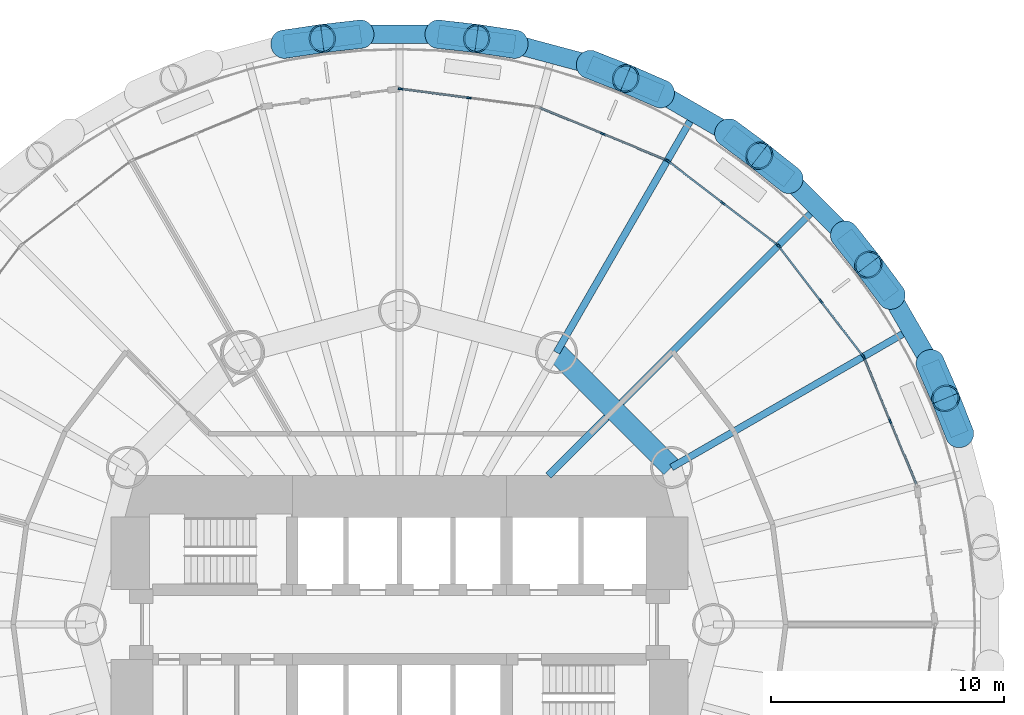
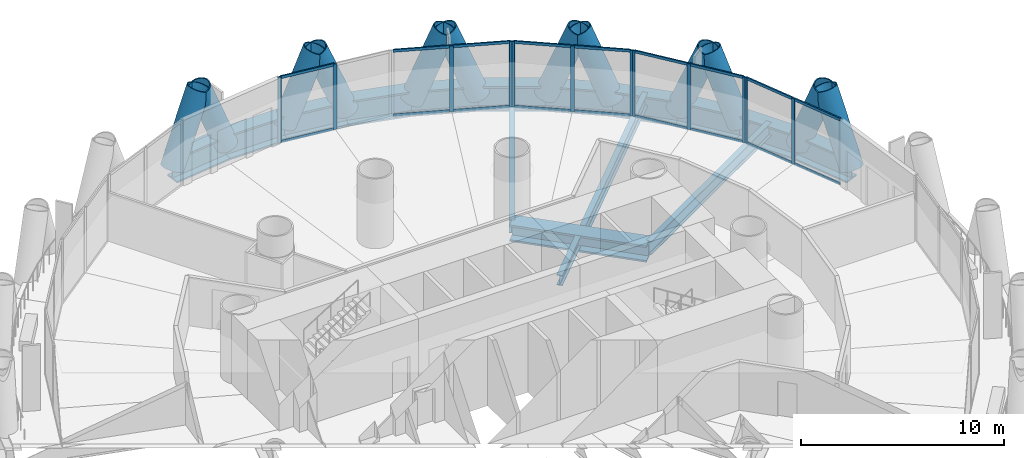
# One storey, part 7 of 15: 42 members, 16 beams, 5 elements without a shape of their own.
"""IFC4 building model written with IfcOpenShell, lengths in metres."""

from ifc_helpers import new_model, si_unit, direction, frame, origin, origin_2d, place, context, subcontext, project, spatial, rectangle, hollow_circle, i_section, extrude, material, material_profile, profile_set, type_object, element, aggregate, save


model = new_model("IFC4")

# Units and contexts
model_context = context("Model", 3, precision=1e-05, world=origin(), true_north=direction((0.0, 1.0)))
body_context = subcontext(model_context, "Body", "Model", "MODEL_VIEW")
ifc_project = project(units=[si_unit("LENGTHUNIT", "METRE"), si_unit("AREAUNIT", "SQUARE_METRE"), si_unit("VOLUMEUNIT", "CUBIC_METRE"), si_unit("PLANEANGLEUNIT", "RADIAN"), si_unit("MASSUNIT", "GRAM", prefix="KILO")], contexts=[model_context])

# Site, building, storey
site_placement = place(None, origin())
site = spatial("IfcSite", under=ifc_project, at=site_placement, CompositionType="ELEMENT")
building_placement = place(site_placement, origin())
building = spatial("IfcBuilding", under=site, at=building_placement, Name="Qaws Media Tower", CompositionType="ELEMENT")
storey_placement = place(building_placement, frame((0.0, 0.0, 97.39990234375)))
storey = spatial("IfcBuildingStorey", under=building, at=storey_placement, Name="L21", CompositionType="ELEMENT", Elevation=97.39990234375)

# Curtain wall, members
ifc_material_1 = material(Name="Aluminium and clear glass", Category="aluminium")
curtain_wall_type = type_object("IfcCurtainWallType", Name="Unitised curtain wall CW-A", PredefinedType="NOTDEFINED", material=ifc_material_1)
curtain_wall_1_placement = place(storey_placement, origin())
curtain_wall_1 = element("IfcCurtainWall", 1, at=curtain_wall_1_placement, inside=storey, type_object=curtain_wall_type, Name="CWA curtain wall L21-02", PredefinedType="NOTDEFINED")
ifc_material_2 = material(Name="Aluminium mullion", Category="aluminium")
ifc_material_profile_1 = material_profile(ifc_material_2, rectangle(XDim=0.080078125, YDim=0.199951171875, at=origin_2d()), Name="80x200")
ifc_profile_set_1 = profile_set([ifc_material_profile_1], Name="Aluminium mullion")
member_type_1 = type_object("IfcMemberType", Name="Curtain wall mullion 80x200", PredefinedType="MULLION", material=ifc_profile_set_1)
member_1_placement = place(storey_placement, frame((81.09033203125, 58.73583984375, 0.0), z_axis=(0.0, 0.0, 1.0), x_axis=(-0.923879534081, -0.382683428576, 0.0)))
member_1 = element("IfcMember", 2, at=member_1_placement, type_object=member_type_1, Name="CWA mullion 2", PredefinedType="MULLION", context=body_context, shape_type="SweptSolid", body=[
    extrude(rectangle(XDim=0.080078125, YDim=0.199951171875, at=origin_2d()), origin(), (0.0, 0.0, 1.0), 3.9501953125),
])
member_2_placement = place(storey_placement, frame((79.95556640625, 61.4755859375, 0.0), z_axis=(0.0, 0.0, 1.0), x_axis=(-0.923879534081, -0.382683428576, 0.0)))
member_2 = element("IfcMember", 3, at=member_2_placement, type_object=member_type_1, Name="CWA mullion 3", PredefinedType="MULLION", context=body_context, shape_type="SweptSolid", body=[
    extrude(rectangle(XDim=0.080078125, YDim=0.199951171875, at=origin_2d()), origin(), (0.0, 0.0, 1.0), 3.9501953125),
])

curtain_wall_2_placement = place(storey_placement, origin())
curtain_wall_2 = element("IfcCurtainWall", 4, at=curtain_wall_2_placement, inside=storey, type_object=curtain_wall_type, Name="CWA curtain wall L21-03", PredefinedType="NOTDEFINED")
member_3_placement = place(storey_placement, frame((79.915771484375, 61.544189453125, 0.0), z_axis=(0.0, 0.0, 1.0), x_axis=(-0.793353385606, -0.608761369953, 0.0)))
member_3 = element("IfcMember", 5, at=member_3_placement, type_object=member_type_1, Name="CWA mullion 1", PredefinedType="MULLION", context=body_context, shape_type="SweptSolid", body=[
    extrude(rectangle(XDim=0.080078125, YDim=0.199951171875, at=origin_2d()), origin(), (0.0, 0.0, 1.0), 3.9501953125),
])
member_4_placement = place(storey_placement, frame((78.110595703125, 63.896728515625, 0.0), z_axis=(0.0, 0.0, 1.0), x_axis=(-0.793353385606, -0.608761369953, 0.0)))
member_4 = element("IfcMember", 6, at=member_4_placement, type_object=member_type_1, Name="CWA mullion 2", PredefinedType="MULLION", context=body_context, shape_type="SweptSolid", body=[
    extrude(rectangle(XDim=0.080078125, YDim=0.199951171875, at=origin_2d()), origin(), (0.0, 0.0, 1.0), 3.9501953125),
])
member_5_placement = place(storey_placement, frame((76.305419921875, 66.24951171875, 0.0), z_axis=(0.0, 0.0, 1.0), x_axis=(-0.793353385606, -0.608761369953, 0.0)))
member_5 = element("IfcMember", 7, at=member_5_placement, type_object=member_type_1, Name="CWA mullion 3", PredefinedType="MULLION", context=body_context, shape_type="SweptSolid", body=[
    extrude(rectangle(XDim=0.080078125, YDim=0.199951171875, at=origin_2d()), origin(), (0.0, 0.0, 1.0), 3.9501953125),
])

curtain_wall_3_placement = place(storey_placement, origin())
curtain_wall_3 = element("IfcCurtainWall", 8, at=curtain_wall_3_placement, inside=storey, type_object=curtain_wall_type, Name="CWA curtain wall L21-04", PredefinedType="NOTDEFINED")
member_6_placement = place(storey_placement, frame((76.24951171875, 66.305419921875, 0.0), z_axis=(0.0, 0.0, 1.0), x_axis=(-0.608761369953, -0.793353385606, 0.0)))
member_6 = element("IfcMember", 9, at=member_6_placement, type_object=member_type_1, Name="CWA mullion 1", PredefinedType="MULLION", context=body_context, shape_type="SweptSolid", body=[
    extrude(rectangle(XDim=0.080078125, YDim=0.199951171875, at=origin_2d()), origin(), (0.0, 0.0, 1.0), 3.9501953125),
])
member_7_placement = place(storey_placement, frame((73.896728515625, 68.110595703125, 0.0), z_axis=(0.0, 0.0, 1.0), x_axis=(-0.608761369953, -0.793353385606, 0.0)))
member_7 = element("IfcMember", 10, at=member_7_placement, type_object=member_type_1, Name="CWA mullion 2", PredefinedType="MULLION", context=body_context, shape_type="SweptSolid", body=[
    extrude(rectangle(XDim=0.080078125, YDim=0.199951171875, at=origin_2d()), origin(), (0.0, 0.0, 1.0), 3.9501953125),
])
member_8_placement = place(storey_placement, frame((71.544189453125, 69.915771484375, 0.0), z_axis=(0.0, 0.0, 1.0), x_axis=(-0.608761369953, -0.793353385606, 0.0)))
member_8 = element("IfcMember", 11, at=member_8_placement, type_object=member_type_1, Name="CWA mullion 3", PredefinedType="MULLION", context=body_context, shape_type="SweptSolid", body=[
    extrude(rectangle(XDim=0.080078125, YDim=0.199951171875, at=origin_2d()), origin(), (0.0, 0.0, 1.0), 3.9501953125),
])

curtain_wall_4_placement = place(storey_placement, origin())
curtain_wall_4 = element("IfcCurtainWall", 12, at=curtain_wall_4_placement, inside=storey, type_object=curtain_wall_type, Name="CWA curtain wall L21-05", PredefinedType="NOTDEFINED")
member_9_placement = place(storey_placement, frame((71.4755859375, 69.95556640625, 0.0), z_axis=(0.0, 0.0, 1.0), x_axis=(-0.382683428576, -0.923879534081, 0.0)))
member_9 = element("IfcMember", 13, at=member_9_placement, type_object=member_type_1, Name="CWA mullion 1", PredefinedType="MULLION", context=body_context, shape_type="SweptSolid", body=[
    extrude(rectangle(XDim=0.080078125, YDim=0.199951171875, at=origin_2d()), origin(), (0.0, 0.0, 1.0), 3.9501953125),
])
member_10_placement = place(storey_placement, frame((68.73583984375, 71.09033203125, 0.0), z_axis=(0.0, 0.0, 1.0), x_axis=(-0.382683428576, -0.923879534081, 0.0)))
member_10 = element("IfcMember", 14, at=member_10_placement, type_object=member_type_1, Name="CWA mullion 2", PredefinedType="MULLION", context=body_context, shape_type="SweptSolid", body=[
    extrude(rectangle(XDim=0.080078125, YDim=0.199951171875, at=origin_2d()), origin(), (0.0, 0.0, 1.0), 3.9501953125),
])

curtain_wall_5_placement = place(storey_placement, origin())
curtain_wall_5 = element("IfcCurtainWall", 15, at=curtain_wall_5_placement, inside=storey, type_object=curtain_wall_type, Name="CWA curtain wall L21-06", PredefinedType="NOTDEFINED")
member_11_placement = place(storey_placement, frame((62.979736328125, 72.6328125, 0.0), z_axis=(0.0, 0.0, 1.0), x_axis=(-0.130526206323, -0.991444859517, 0.0)))
member_11 = element("IfcMember", 16, at=member_11_placement, type_object=member_type_1, Name="CWA mullion 2", PredefinedType="MULLION", context=body_context, shape_type="SweptSolid", body=[
    extrude(rectangle(XDim=0.080078125, YDim=0.199951171875, at=origin_2d()), origin(), (0.0, 0.0, 1.0), 3.9501953125),
])
member_12_placement = place(storey_placement, frame((60.03955078125, 73.019775390625, 0.0), z_axis=(0.0, 0.0, 1.0), x_axis=(-0.130526206323, -0.991444859517, 0.0)))
member_12 = element("IfcMember", 17, at=member_12_placement, type_object=member_type_1, Name="CWA mullion 3", PredefinedType="MULLION", context=body_context, shape_type="SweptSolid", body=[
    extrude(rectangle(XDim=0.080078125, YDim=0.199951171875, at=origin_2d()), origin(), (0.0, 0.0, 1.0), 3.9501953125),
])

# Member
ifc_material_3 = material(Name="Aluminium transom", Category="aluminium")
ifc_material_profile_2 = material_profile(ifc_material_3, rectangle(XDim=0.080078125, YDim=0.159912109375, at=origin_2d()), Name="80x160")
ifc_profile_set_2 = profile_set([ifc_material_profile_2], Name="Aluminium transom")
member_type_2 = type_object("IfcMemberType", Name="Curtain wall transom 80x160", PredefinedType="USERDEFINED", material=ifc_profile_set_2)
member_13_placement = place(storey_placement, frame((82.209716796875, 56.033203125, 0.0400390625), z_axis=(-0.382625805938, 0.923903400053, 0.0), x_axis=(-0.923903400053, -0.382625805938, 0.0)))
member_13 = element("IfcMember", 18, at=member_13_placement, type_object=member_type_2, Name="CWA transom 1.1", ObjectType="TRANSOM", PredefinedType="USERDEFINED", context=body_context, shape_type="SweptSolid", body=[
    extrude(rectangle(XDim=0.080078125, YDim=0.159912109375, at=origin_2d()), origin(), (0.0, 0.0, 1.0), 2.88525390625),
])

member_14_placement = place(storey_placement, frame((82.209716796875, 56.033203125, 3.91015625), z_axis=(-0.382625805938, 0.923903400053, 0.0), x_axis=(-0.923903400053, -0.382625805938, 0.0)))
member_14 = element("IfcMember", 19, at=member_14_placement, type_object=member_type_2, Name="CWA transom 1.2", ObjectType="TRANSOM", PredefinedType="USERDEFINED", context=body_context, shape_type="SweptSolid", body=[
    extrude(rectangle(XDim=0.080078125, YDim=0.159912109375, at=origin_2d()), origin(), (0.0, 0.0, 1.0), 2.88525390625),
])

member_15_placement = place(storey_placement, frame((81.074951171875, 58.77294921875, 0.0400390625), z_axis=(-0.382655720012, 0.923891010857, 0.0), x_axis=(-0.923891010857, -0.382655720012, 0.0)))
member_15 = element("IfcMember", 20, at=member_15_placement, type_object=member_type_2, Name="CWA transom 2.1", ObjectType="TRANSOM", PredefinedType="USERDEFINED", context=body_context, shape_type="SweptSolid", body=[
    extrude(rectangle(XDim=0.080078125, YDim=0.159912109375, at=origin_2d()), origin(), (0.0, 0.0, 1.0), 2.885009765625),
])

member_16_placement = place(storey_placement, frame((81.074951171875, 58.77294921875, 3.91015625), z_axis=(-0.382655720012, 0.923891010857, 0.0), x_axis=(-0.923891010857, -0.382655720012, 0.0)))
member_16 = element("IfcMember", 21, at=member_16_placement, type_object=member_type_2, Name="CWA transom 2.2", ObjectType="TRANSOM", PredefinedType="USERDEFINED", context=body_context, shape_type="SweptSolid", body=[
    extrude(rectangle(XDim=0.080078125, YDim=0.159912109375, at=origin_2d()), origin(), (0.0, 0.0, 1.0), 2.885009765625),
])

aggregate(curtain_wall_1, [member_1, member_2, member_13, member_14, member_15, member_16])

member_17_placement = place(storey_placement, frame((79.8916015625, 61.575927734375, 0.0400390625), z_axis=(-0.608790302029, 0.793331184409, 0.0), x_axis=(-0.793331184409, -0.608790302029, 0.0)))
member_17 = element("IfcMember", 22, at=member_17_placement, type_object=member_type_2, Name="CWA transom 1.1", ObjectType="TRANSOM", PredefinedType="USERDEFINED", context=body_context, shape_type="SweptSolid", body=[
    extrude(rectangle(XDim=0.080078125, YDim=0.159912109375, at=origin_2d()), origin(), (0.0, 0.0, 1.0), 2.885498046875),
])

member_18_placement = place(storey_placement, frame((79.8916015625, 61.575927734375, 3.91015625), z_axis=(-0.608790302029, 0.793331184409, 0.0), x_axis=(-0.793331184409, -0.608790302029, 0.0)))
member_18 = element("IfcMember", 23, at=member_18_placement, type_object=member_type_2, Name="CWA transom 1.2", ObjectType="TRANSOM", PredefinedType="USERDEFINED", context=body_context, shape_type="SweptSolid", body=[
    extrude(rectangle(XDim=0.080078125, YDim=0.159912109375, at=origin_2d()), origin(), (0.0, 0.0, 1.0), 2.885498046875),
])

member_19_placement = place(storey_placement, frame((78.08642578125, 63.928466796875, 0.0400390625), z_axis=(-0.608749438242, 0.793362540986, 0.0), x_axis=(-0.793362540986, -0.608749438242, 0.0)))
member_19 = element("IfcMember", 24, at=member_19_placement, type_object=member_type_2, Name="CWA transom 2.1", ObjectType="TRANSOM", PredefinedType="USERDEFINED", context=body_context, shape_type="SweptSolid", body=[
    extrude(rectangle(XDim=0.080078125, YDim=0.159912109375, at=origin_2d()), origin(), (0.0, 0.0, 1.0), 2.885498046875),
])

member_20_placement = place(storey_placement, frame((78.08642578125, 63.928466796875, 3.91015625), z_axis=(-0.608749438242, 0.793362540986, 0.0), x_axis=(-0.793362540986, -0.608749438242, 0.0)))
member_20 = element("IfcMember", 25, at=member_20_placement, type_object=member_type_2, Name="CWA transom 2.2", ObjectType="TRANSOM", PredefinedType="USERDEFINED", context=body_context, shape_type="SweptSolid", body=[
    extrude(rectangle(XDim=0.080078125, YDim=0.159912109375, at=origin_2d()), origin(), (0.0, 0.0, 1.0), 2.885498046875),
])

aggregate(curtain_wall_2, [member_3, member_4, member_5, member_17, member_18, member_19, member_20])

member_21_placement = place(storey_placement, frame((76.2177734375, 66.329833984375, 0.0400390625), z_axis=(-0.793362540986, 0.608749438242, 0.0), x_axis=(-0.608749438242, -0.793362540986, 0.0)))
member_21 = element("IfcMember", 26, at=member_21_placement, type_object=member_type_2, Name="CWA transom 1.1", ObjectType="TRANSOM", PredefinedType="USERDEFINED", context=body_context, shape_type="SweptSolid", body=[
    extrude(rectangle(XDim=0.080078125, YDim=0.159912109375, at=origin_2d()), origin(), (0.0, 0.0, 1.0), 2.885498046875),
])

member_22_placement = place(storey_placement, frame((76.2177734375, 66.329833984375, 3.91015625), z_axis=(-0.793362540986, 0.608749438242, 0.0), x_axis=(-0.608749438242, -0.793362540986, 0.0)))
member_22 = element("IfcMember", 27, at=member_22_placement, type_object=member_type_2, Name="CWA transom 1.2", ObjectType="TRANSOM", PredefinedType="USERDEFINED", context=body_context, shape_type="SweptSolid", body=[
    extrude(rectangle(XDim=0.080078125, YDim=0.159912109375, at=origin_2d()), origin(), (0.0, 0.0, 1.0), 2.885498046875),
])

member_23_placement = place(storey_placement, frame((73.864990234375, 68.135009765625, 0.0400390625), z_axis=(-0.793331184409, 0.608790302029, 0.0), x_axis=(-0.608790302029, -0.793331184409, 0.0)))
member_23 = element("IfcMember", 28, at=member_23_placement, type_object=member_type_2, Name="CWA transom 2.1", ObjectType="TRANSOM", PredefinedType="USERDEFINED", context=body_context, shape_type="SweptSolid", body=[
    extrude(rectangle(XDim=0.080078125, YDim=0.159912109375, at=origin_2d()), origin(), (0.0, 0.0, 1.0), 2.885498046875),
])

member_24_placement = place(storey_placement, frame((73.864990234375, 68.135009765625, 3.91015625), z_axis=(-0.793331184409, 0.608790302029, 0.0), x_axis=(-0.608790302029, -0.793331184409, 0.0)))
member_24 = element("IfcMember", 29, at=member_24_placement, type_object=member_type_2, Name="CWA transom 2.2", ObjectType="TRANSOM", PredefinedType="USERDEFINED", context=body_context, shape_type="SweptSolid", body=[
    extrude(rectangle(XDim=0.080078125, YDim=0.159912109375, at=origin_2d()), origin(), (0.0, 0.0, 1.0), 2.885498046875),
])

aggregate(curtain_wall_3, [member_6, member_7, member_8, member_21, member_22, member_23, member_24])

member_25_placement = place(storey_placement, frame((71.4384765625, 69.970947265625, 0.0400390625), z_axis=(-0.923891010857, 0.382655720012, 0.0), x_axis=(-0.382655720012, -0.923891010857, 0.0)))
member_25 = element("IfcMember", 30, at=member_25_placement, type_object=member_type_2, Name="CWA transom 1.1", ObjectType="TRANSOM", PredefinedType="USERDEFINED", context=body_context, shape_type="SweptSolid", body=[
    extrude(rectangle(XDim=0.080078125, YDim=0.159912109375, at=origin_2d()), origin(), (0.0, 0.0, 1.0), 2.885009765625),
])

member_26_placement = place(storey_placement, frame((71.4384765625, 69.970947265625, 3.91015625), z_axis=(-0.923891010857, 0.382655720012, 0.0), x_axis=(-0.382655720012, -0.923891010857, 0.0)))
member_26 = element("IfcMember", 31, at=member_26_placement, type_object=member_type_2, Name="CWA transom 1.2", ObjectType="TRANSOM", PredefinedType="USERDEFINED", context=body_context, shape_type="SweptSolid", body=[
    extrude(rectangle(XDim=0.080078125, YDim=0.159912109375, at=origin_2d()), origin(), (0.0, 0.0, 1.0), 2.885009765625),
])

member_27_placement = place(storey_placement, frame((68.698974609375, 71.105712890625, 0.0400390625), z_axis=(-0.923903400053, 0.382625805938, 0.0), x_axis=(-0.382625805938, -0.923903400053, 0.0)))
member_27 = element("IfcMember", 32, at=member_27_placement, type_object=member_type_2, Name="CWA transom 2.1", ObjectType="TRANSOM", PredefinedType="USERDEFINED", context=body_context, shape_type="SweptSolid", body=[
    extrude(rectangle(XDim=0.080078125, YDim=0.159912109375, at=origin_2d()), origin(), (0.0, 0.0, 1.0), 2.88525390625),
])

member_28_placement = place(storey_placement, frame((68.698974609375, 71.105712890625, 3.91015625), z_axis=(-0.923903400053, 0.382625805938, 0.0), x_axis=(-0.382625805938, -0.923903400053, 0.0)))
member_28 = element("IfcMember", 33, at=member_28_placement, type_object=member_type_2, Name="CWA transom 2.2", ObjectType="TRANSOM", PredefinedType="USERDEFINED", context=body_context, shape_type="SweptSolid", body=[
    extrude(rectangle(XDim=0.080078125, YDim=0.159912109375, at=origin_2d()), origin(), (0.0, 0.0, 1.0), 2.88525390625),
])

aggregate(curtain_wall_4, [member_9, member_10, member_25, member_26, member_27, member_28])

member_29_placement = place(storey_placement, frame((62.93994140625, 72.637939453125, 0.0400390625), z_axis=(-0.991440177553, 0.130561764442, 0.0), x_axis=(-0.130561764442, -0.991440177553, 0.0)))
member_29 = element("IfcMember", 34, at=member_29_placement, type_object=member_type_2, Name="CWA transom 2.1", ObjectType="TRANSOM", PredefinedType="USERDEFINED", context=body_context, shape_type="SweptSolid", body=[
    extrude(rectangle(XDim=0.080078125, YDim=0.159912109375, at=origin_2d()), origin(), (0.0, 0.0, 1.0), 2.88525390625),
])

member_30_placement = place(storey_placement, frame((62.93994140625, 72.637939453125, 3.91015625), z_axis=(-0.991440177553, 0.130561764442, 0.0), x_axis=(-0.130561764442, -0.991440177553, 0.0)))
member_30 = element("IfcMember", 35, at=member_30_placement, type_object=member_type_2, Name="CWA transom 2.2", ObjectType="TRANSOM", PredefinedType="USERDEFINED", context=body_context, shape_type="SweptSolid", body=[
    extrude(rectangle(XDim=0.080078125, YDim=0.159912109375, at=origin_2d()), origin(), (0.0, 0.0, 1.0), 2.88525390625),
])

aggregate(curtain_wall_5, [member_11, member_12, member_29, member_30])

# Members
ifc_material_4 = material(Name="Steel S460", Category="steel")
ifc_material_profile_3 = material_profile(ifc_material_4, hollow_circle(Radius=0.609619140625, WallThickness=0.06005859375, at=origin_2d()), Name="CHS 1219x60")
ifc_profile_set_3 = profile_set([ifc_material_profile_3], Name="Steel S460")
member_type_3 = type_object("IfcMemberType", Name="Diagrid member CHS 1219x60", PredefinedType="USERDEFINED", material=ifc_profile_set_3)
for number, where, z_axis, x_axis, name in (
    (36, (84.07568359375, 58.172607421875, -0.909912109375), (-0.137381625873, 0.349042936435, 0.926981832291), (-0.93051757072, -0.366247253344, 0.0), "DG1 diagrid L21 A02"),
    (37, (81.14013671875, 64.12548828125, -0.909912109375), (-0.223059242955, 0.301578739488, 0.926981573723), (-0.803980853695, -0.594655183188, 0.0), "DG1 diagrid L21 A03"),
    (38, (82.802978515625, 61.2451171875, -0.909912109375), (0.149662418634, -0.343926220304, 0.926992942495), (0.916943977538, 0.399015967171, 0.0), "DG1 diagrid L21 B03"),
    (39, (76.763916015625, 69.115478515625, -0.909912109375), (-0.293486589655, 0.233577882424, 0.926988130741), (-0.622723798453, -0.782441736387, 0.0), "DG1 diagrid L21 A04"),
    (40, (79.115478515625, 66.763916015625, -0.909912109375), (0.233577882424, -0.293486589655, 0.926988130741), (0.782441736387, 0.622723798453, 0.0), "DG1 diagrid L21 B04"),
    (41, (71.2451171875, 72.802978515625, -0.909912109375), (-0.343926220304, 0.149662418634, 0.926992942495), (-0.399015967171, -0.916943977538, 0.0), "DG1 diagrid L21 A05"),
    (42, (74.12548828125, 71.14013671875, -0.909912109375), (0.301578739488, -0.223059242955, 0.926981573723), (0.594655183188, 0.803980853695, 0.0), "DG1 diagrid L21 B05"),
    (43, (64.960205078125, 74.9365234375, -0.909912109375), (-0.370960571653, 0.055503674666, 0.926988455363), (-0.147974340224, -0.988991200484, 0.0), "DG1 diagrid L21 A06"),
    (44, (68.172607421875, 74.07568359375, -0.909912109375), (0.349042936435, -0.137381625873, 0.926981832291), (0.366247253344, 0.93051757072, 0.0), "DG1 diagrid L21 B06"),
    (45, (58.337158203125, 75.37060546875, -0.909912109375), (-0.372717492007, -0.042398060104, 0.926975768643), (0.113024960064, -0.993592148924, 0.0), "DG1 diagrid L21 A07"),
    (46, (61.662841796875, 75.37060546875, -0.909912109375), (0.372717492007, -0.042398060104, 0.926975768643), (0.113024960064, 0.993592148924, 0.0), "DG1 diagrid L21 B07"),
    (47, (55.039794921875, 74.9365234375, -0.909912109375), (0.370960571653, 0.055503674666, 0.926988455363), (-0.147974340224, 0.988991200484, 0.0), "DG1 diagrid L21 B08"),
):
    element("IfcMember", number, at=place(storey_placement, frame(where, z_axis=z_axis, x_axis=x_axis)), inside=storey, type_object=member_type_3, Name=name, ObjectType="DIAGRID", PredefinedType="USERDEFINED", context=body_context, shape_type="SweptSolid", body=[
        extrude(hollow_circle(Radius=0.609619140625, WallThickness=0.06005859375, at=origin_2d()), origin(), (0.0, 0.0, 1.0), 4.433837890625),
    ])

# Beams
ifc_material_5 = material(Name="Steel S460", Category="steel")
ifc_material_profile_4 = material_profile(ifc_material_5, i_section(OverallWidth=0.800048828125, OverallDepth=1.5, WebThickness=0.0400390625, FlangeThickness=0.10009765625, at=origin_2d()), Name="PG 1500x800")
ifc_profile_set_4 = profile_set([ifc_material_profile_4], Name="Steel S460")
beam_type_1 = type_object("IfcBeamType", Name="Edge ring beam PG 1500x800", PredefinedType="BEAM", material=ifc_profile_set_4)
beam_1_placement = place(storey_placement, frame((84.07568359375, 58.172607421875, -0.909912109375), z_axis=(-0.382691096785, 0.923876357767, 0.0), x_axis=(-0.923876357767, -0.382691096785, 0.0)))
element("IfcBeam", 48, at=beam_1_placement, inside=storey, type_object=beam_type_1, Name="RB7 edge ring beam L21-03", PredefinedType="BEAM", context=body_context, shape_type="SweptSolid", body=[
    extrude(i_section(OverallWidth=0.800048828125, OverallDepth=1.5, WebThickness=0.0400390625, FlangeThickness=0.10009765625, at=origin_2d()), origin(), (0.0, 0.0, 1.0), 3.32568359375),
])
beam_2_placement = place(storey_placement, frame((82.802978515625, 61.2451171875, -0.909912109375), z_axis=(-0.499968151968, 0.866043790474, 0.0), x_axis=(-0.866043790474, -0.499968151968, 0.0)))
element("IfcBeam", 49, at=beam_2_placement, inside=storey, type_object=beam_type_1, Name="RB7 edge ring beam L21-04", PredefinedType="BEAM", context=body_context, shape_type="SweptSolid", body=[
    extrude(i_section(OverallWidth=0.800048828125, OverallDepth=1.5, WebThickness=0.0400390625, FlangeThickness=0.10009765625, at=origin_2d()), origin(), (0.0, 0.0, 1.0), 3.325927734375),
])
for number, where, z_axis, x_axis, name in (
    (50, (81.14013671875, 64.12548828125, -0.909912109375), (-0.608784403568, 0.793335710763, 0.0), (-0.793335710763, -0.608784403568, 0.0), "RB7 edge ring beam L21-05"),
    (51, (79.115478515625, 66.763916015625, -0.909912109375), (-0.707106781187, 0.707106781187, 0.0), (-0.707106781187, -0.707106781187, 0.0), "RB7 edge ring beam L21-06"),
    (52, (76.763916015625, 69.115478515625, -0.909912109375), (-0.793335710763, 0.608784403568, 0.0), (-0.608784403568, -0.793335710763, 0.0), "RB7 edge ring beam L21-07"),
):
    element("IfcBeam", number, at=place(storey_placement, frame(where, z_axis=z_axis, x_axis=x_axis)), inside=storey, type_object=beam_type_1, Name=name, PredefinedType="BEAM", context=body_context, shape_type="SweptSolid", body=[
        extrude(i_section(OverallWidth=0.800048828125, OverallDepth=1.5, WebThickness=0.0400390625, FlangeThickness=0.10009765625, at=origin_2d()), origin(), (0.0, 0.0, 1.0), 3.32568359375),
    ])
beam_3_placement = place(storey_placement, frame((74.12548828125, 71.14013671875, -0.909912109375), z_axis=(-0.866043790474, 0.499968151968, 0.0), x_axis=(-0.499968151968, -0.866043790474, 0.0)))
element("IfcBeam", 53, at=beam_3_placement, inside=storey, type_object=beam_type_1, Name="RB7 edge ring beam L21-08", PredefinedType="BEAM", context=body_context, shape_type="SweptSolid", body=[
    extrude(i_section(OverallWidth=0.800048828125, OverallDepth=1.5, WebThickness=0.0400390625, FlangeThickness=0.10009765625, at=origin_2d()), origin(), (0.0, 0.0, 1.0), 3.325927734375),
])
for number, where, z_axis, x_axis, name in (
    (54, (71.2451171875, 72.802978515625, -0.909912109375), (-0.923876357767, 0.382691096785, 0.0), (-0.382691096785, -0.923876357767, 0.0), "RB7 edge ring beam L21-09"),
    (55, (68.172607421875, 74.07568359375, -0.909912109375), (-0.965919870225, 0.258841272413, 0.0), (-0.258841272413, -0.965919870225, 0.0), "RB7 edge ring beam L21-10"),
):
    element("IfcBeam", number, at=place(storey_placement, frame(where, z_axis=z_axis, x_axis=x_axis)), inside=storey, type_object=beam_type_1, Name=name, PredefinedType="BEAM", context=body_context, shape_type="SweptSolid", body=[
        extrude(i_section(OverallWidth=0.800048828125, OverallDepth=1.5, WebThickness=0.0400390625, FlangeThickness=0.10009765625, at=origin_2d()), origin(), (0.0, 0.0, 1.0), 3.32568359375),
    ])
beam_4_placement = place(storey_placement, frame((64.960205078125, 74.9365234375, -0.909912109375), z_axis=(-0.991445798324, 0.130519075183, 0.0), x_axis=(-0.130519075183, -0.991445798324, 0.0)))
element("IfcBeam", 56, at=beam_4_placement, inside=storey, type_object=beam_type_1, Name="RB7 edge ring beam L21-11", PredefinedType="BEAM", context=body_context, shape_type="SweptSolid", body=[
    extrude(i_section(OverallWidth=0.800048828125, OverallDepth=1.5, WebThickness=0.0400390625, FlangeThickness=0.10009765625, at=origin_2d()), origin(), (0.0, 0.0, 1.0), 3.325927734375),
])
beam_5_placement = place(storey_placement, frame((61.662841796875, 75.37060546875, -0.909912109375), z_axis=(-1.0, 0.0, 0.0), x_axis=(0.0, -1.0, 0.0)))
element("IfcBeam", 57, at=beam_5_placement, inside=storey, type_object=beam_type_1, Name="RB7 edge ring beam L21-12", PredefinedType="BEAM", context=body_context, shape_type="SweptSolid", body=[
    extrude(i_section(OverallWidth=0.800048828125, OverallDepth=1.5, WebThickness=0.0400390625, FlangeThickness=0.10009765625, at=origin_2d()), origin(), (0.0, 0.0, 1.0), 3.32568359375),
])
beam_6_placement = place(storey_placement, frame((58.337158203125, 75.37060546875, -0.909912109375), z_axis=(-0.991445798324, -0.130519075183, 0.0), x_axis=(0.130519075183, -0.991445798324, 0.0)))
element("IfcBeam", 58, at=beam_6_placement, inside=storey, type_object=beam_type_1, Name="RB7 edge ring beam L21-13", PredefinedType="BEAM", context=body_context, shape_type="SweptSolid", body=[
    extrude(i_section(OverallWidth=0.800048828125, OverallDepth=1.5, WebThickness=0.0400390625, FlangeThickness=0.10009765625, at=origin_2d()), origin(), (0.0, 0.0, 1.0), 3.325927734375),
])
ifc_material_6 = material(Name="Steel S460", Category="steel")
ifc_material_profile_5 = material_profile(ifc_material_6, i_section(OverallWidth=0.89990234375, OverallDepth=1.0, WebThickness=0.044921875, FlangeThickness=0.110107421875, at=origin_2d()), Name="PG 1000x900")
ifc_profile_set_5 = profile_set([ifc_material_profile_5], Name="Steel S460")
beam_type_2 = type_object("IfcBeamType", Name="Inner ring girder PG 1000x900", PredefinedType="BEAM", material=ifc_profile_set_5)
beam_7_placement = place(storey_placement, frame((71.69140625, 56.75, -0.659912109375), z_axis=(-0.707106781187, 0.707106781187, 0.0), x_axis=(-0.707106781187, -0.707106781187, 0.0)))
element("IfcBeam", 59, at=beam_7_placement, inside=storey, type_object=beam_type_2, Name="B3 inner ring beam L21 I02-I03", PredefinedType="BEAM", context=body_context, shape_type="SweptSolid", body=[
    extrude(i_section(OverallWidth=0.89990234375, OverallDepth=1.0, WebThickness=0.044921875, FlangeThickness=0.110107421875, at=origin_2d()), origin(), (0.0, 0.0, 1.0), 6.98828125),
])
ifc_material_7 = material(Name="Steel S355", Category="steel")
ifc_material_profile_6 = material_profile(ifc_material_7, i_section(OverallWidth=0.304931640625, OverallDepth=0.6201171875, WebThickness=0.02099609375, FlangeThickness=0.0400390625, FilletRadius=0.027099609375, at=origin_2d()), Name="HE 600 M")
ifc_profile_set_6 = profile_set([ifc_material_profile_6], Name="Steel S355")
beam_type_3 = type_object("IfcBeamType", Name="Radial beam HE 600 M, core side", PredefinedType="BEAM", material=ifc_profile_set_6)
beam_8_placement = place(storey_placement, frame((66.39990234375, 56.39990234375, -0.469970703125), z_axis=(0.707106781187, 0.707106781187, 0.0), x_axis=(-0.707106781187, 0.707106781187, 0.0)))
element("IfcBeam", 60, at=beam_8_placement, inside=storey, type_object=beam_type_3, Name="B2 radial beam L21 04", PredefinedType="BEAM", context=body_context, shape_type="SweptSolid", body=[
    extrude(i_section(OverallWidth=0.304931640625, OverallDepth=0.6201171875, WebThickness=0.02099609375, FlangeThickness=0.0400390625, FilletRadius=0.027099609375, at=origin_2d()), origin(), (0.0, 0.0, 1.0), 3.539306640625),
])
ifc_material_8 = material(Name="Steel S355", Category="steel")
ifc_material_profile_7 = material_profile(ifc_material_8, i_section(OverallWidth=0.300048828125, OverallDepth=0.800048828125, WebThickness=0.017578125, FlangeThickness=0.032958984375, FilletRadius=0.030029296875, at=origin_2d()), Name="HE 800 B")
ifc_profile_set_7 = profile_set([ifc_material_profile_7], Name="Steel S355")
beam_type_4 = type_object("IfcBeamType", Name="Radial beam HE 800 B", PredefinedType="BEAM", material=ifc_profile_set_7)
beam_9_placement = place(storey_placement, frame((71.69140625, 56.75, -0.559814453125), z_axis=(0.866020842044, 0.500007901084, 0.0), x_axis=(-0.500007901084, 0.866020842044, 0.0)))
element("IfcBeam", 61, at=beam_9_placement, inside=storey, type_object=beam_type_4, Name="B1 radial beam L21 03", PredefinedType="BEAM", context=body_context, shape_type="SweptSolid", body=[
    extrude(i_section(OverallWidth=0.300048828125, OverallDepth=0.800048828125, WebThickness=0.017578125, FlangeThickness=0.032958984375, FilletRadius=0.030029296875, at=origin_2d()), origin(), (0.0, 0.0, 1.0), 11.870361328125),
])
beam_10_placement = place(storey_placement, frame((69.538818359375, 59.538818359375, -0.559814453125), z_axis=(0.707106781187, 0.707106781187, 0.0), x_axis=(-0.707106781187, 0.707106781187, 0.0)))
element("IfcBeam", 62, at=beam_10_placement, inside=storey, type_object=beam_type_4, Name="B1 radial beam L21 04", PredefinedType="BEAM", context=body_context, shape_type="SweptSolid", body=[
    extrude(i_section(OverallWidth=0.300048828125, OverallDepth=0.800048828125, WebThickness=0.017578125, FlangeThickness=0.032958984375, FilletRadius=0.030029296875, at=origin_2d()), origin(), (0.0, 0.0, 1.0), 11.880615234375),
])
beam_11_placement = place(storey_placement, frame((66.75, 61.69140625, -0.559814453125), z_axis=(0.500007901084, 0.866020842044, 0.0), x_axis=(-0.866020842044, 0.500007901084, 0.0)))
element("IfcBeam", 63, at=beam_11_placement, inside=storey, type_object=beam_type_4, Name="B1 radial beam L21 05", PredefinedType="BEAM", context=body_context, shape_type="SweptSolid", body=[
    extrude(i_section(OverallWidth=0.300048828125, OverallDepth=0.800048828125, WebThickness=0.017578125, FlangeThickness=0.032958984375, FilletRadius=0.030029296875, at=origin_2d()), origin(), (0.0, 0.0, 1.0), 11.870361328125),
])

save(model, "model.ifc")
